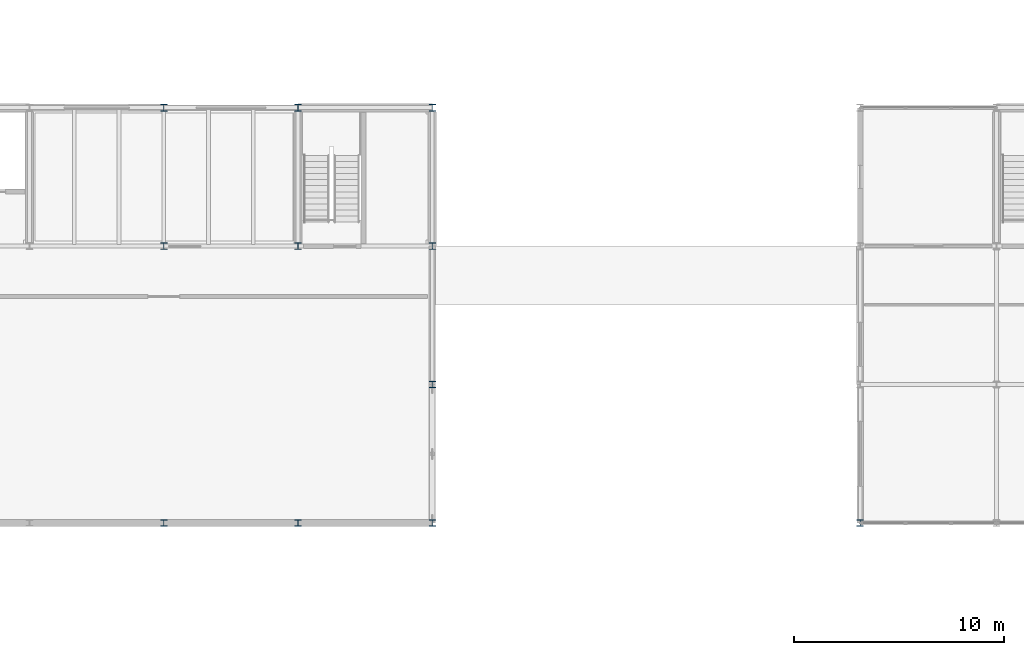
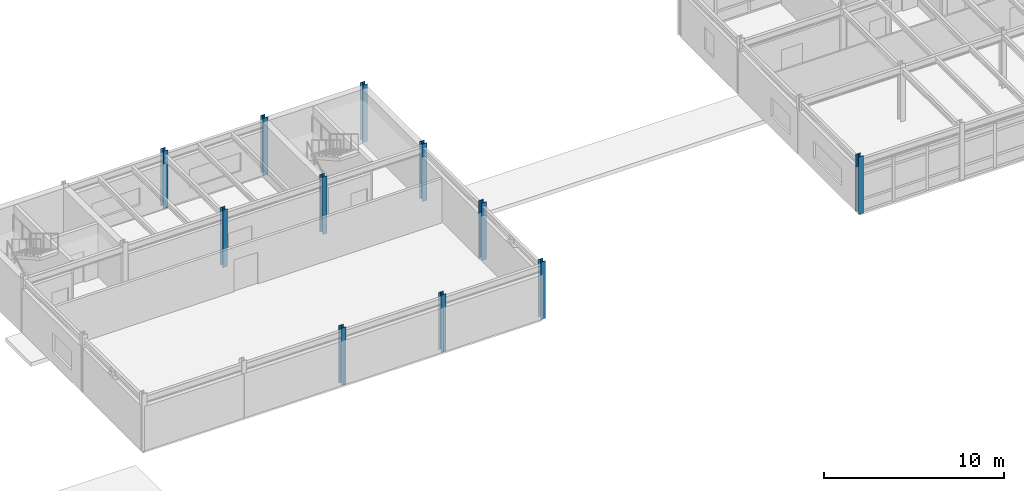
# One storey, part 3 of 49: 11 columns.
"""IFC4 building model written with IfcOpenShell, lengths in metres."""

from ifc_helpers import new_model, si_unit, direction, frame, origin, origin_2d, place, context, subcontext, project, spatial, i_section, extrude, material, material_profile, profile_set, type_object, element, save


model = new_model("IFC4")

# Units and contexts
model_context = context("Model", 3, precision=1e-05, world=origin(), true_north=direction((0.0, 1.0)))
body_context = subcontext(model_context, "Body", "Model", "MODEL_VIEW")
ifc_project = project(units=[si_unit("LENGTHUNIT", "METRE"), si_unit("AREAUNIT", "SQUARE_METRE"), si_unit("VOLUMEUNIT", "CUBIC_METRE"), si_unit("PLANEANGLEUNIT", "RADIAN"), si_unit("MASSUNIT", "GRAM", prefix="KILO")], contexts=[model_context])

# Site, building, storey
site_placement = place(None, origin())
site = spatial("IfcSite", under=ifc_project, at=site_placement, CompositionType="ELEMENT")
building_placement = place(site_placement, origin())
building = spatial("IfcBuilding", under=site, at=building_placement, Name="Trelmorton Wharf Fire Station", CompositionType="ELEMENT")
storey_placement = place(building_placement, frame((0.0, 0.0, 9.60009765625)))
storey = spatial("IfcBuildingStorey", under=building, at=storey_placement, Name="L02", CompositionType="ELEMENT", Elevation=9.60009765625)

# Columns
ifc_material = material(Name="Steel Grade 350", Category="steel")
ifc_material_profile_1 = material_profile(ifc_material, i_section(OverallWidth=0.306884765625, OverallDepth=0.31494140625, WebThickness=0.011962890625, FlangeThickness=0.018798828125, FilletRadius=0.0166015625, at=origin_2d()), Name="310UC118")
ifc_profile_set_1 = profile_set([ifc_material_profile_1], Name="Steel Grade 350")
column_type_1 = type_object("IfcColumnType", Name="COL_310UC118", PredefinedType="COLUMN", material=ifc_profile_set_1)
for number, where, z_axis, x_axis, name in (
    (1, (70.800048828125, 7.800048828125, 0.0), (0.0, 0.0, 1.0), (1.0, 0.0, 0.0), "COL-L02-0474"),
    (2, (70.800048828125, 21.0, 0.0), (0.0, 0.0, 1.0), (1.0, 0.0, 0.0), "COL-L02-0475"),
    (3, (70.800048828125, 27.60009765625, 0.0), (0.0, 0.0, 1.0), (1.0, 0.0, 0.0), "COL-L02-0476"),
    (4, (77.199951171875, 7.800048828125, 0.0), (0.0, 0.0, 1.0), (1.0, 0.0, 0.0), "COL-L02-0482"),
    (5, (77.199951171875, 21.0, 0.0), (0.0, 0.0, 1.0), (1.0, 0.0, 0.0), "COL-L02-0483"),
    (6, (77.199951171875, 27.60009765625, 0.0), (0.0, 0.0, 1.0), (1.0, 0.0, 0.0), "COL-L02-0484"),
    (7, (83.60009765625, 7.800048828125, 0.0), (0.0, 0.0, 1.0), (1.0, 0.0, 0.0), "COL-L02-0490"),
    (8, (83.60009765625, 14.39990234375, 0.0), (0.0, 0.0, 1.0), (1.0, 0.0, 0.0), "COL-L02-0491"),
    (9, (83.60009765625, 21.0, 0.0), (0.0, 0.0, 1.0), (1.0, 0.0, 0.0), "COL-L02-0492"),
    (10, (83.60009765625, 27.60009765625, 0.0), (0.0, 0.0, 1.0), (1.0, 0.0, 0.0), "COL-L02-0493"),
):
    element("IfcColumn", number, at=place(storey_placement, frame(where, z_axis=z_axis, x_axis=x_axis)), inside=storey, type_object=column_type_1, Name=name, PredefinedType="COLUMN", context=body_context, shape_type="SweptSolid", body=[
        extrude(i_section(OverallWidth=0.306884765625, OverallDepth=0.31494140625, WebThickness=0.011962890625, FlangeThickness=0.018798828125, FilletRadius=0.0166015625, at=origin_2d()), origin(), (0.0, 0.0, 1.0), 3.89990234375),
    ])
ifc_material_profile_2 = material_profile(ifc_material, i_section(OverallWidth=0.30908203125, OverallDepth=0.321044921875, WebThickness=0.013916015625, FlangeThickness=0.021728515625, FilletRadius=0.0166015625, at=origin_2d()), Name="310UC137")
ifc_profile_set_2 = profile_set([ifc_material_profile_2], Name="Steel Grade 350")
column_type_2 = type_object("IfcColumnType", Name="COL_310UC137", PredefinedType="COLUMN", material=ifc_profile_set_2)
column_placement = place(storey_placement, frame((104.0, 7.800048828125, 0.0), z_axis=(0.0, 0.0, 1.0), x_axis=(1.0, 0.0, 0.0)))
element("IfcColumn", 11, at=column_placement, inside=storey, type_object=column_type_2, Name="COL-L02-0504", PredefinedType="COLUMN", context=body_context, shape_type="SweptSolid", body=[
    extrude(i_section(OverallWidth=0.30908203125, OverallDepth=0.321044921875, WebThickness=0.013916015625, FlangeThickness=0.021728515625, FilletRadius=0.0166015625, at=origin_2d()), origin(), (0.0, 0.0, 1.0), 3.89990234375),
])

save(model, "model.ifc")
